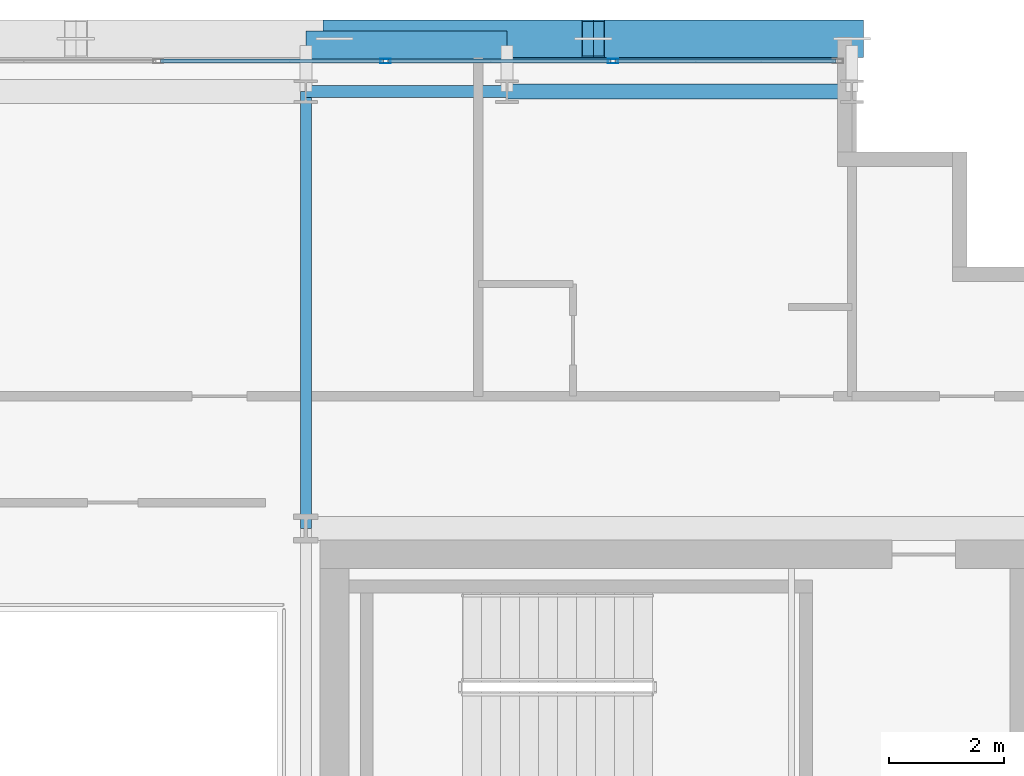
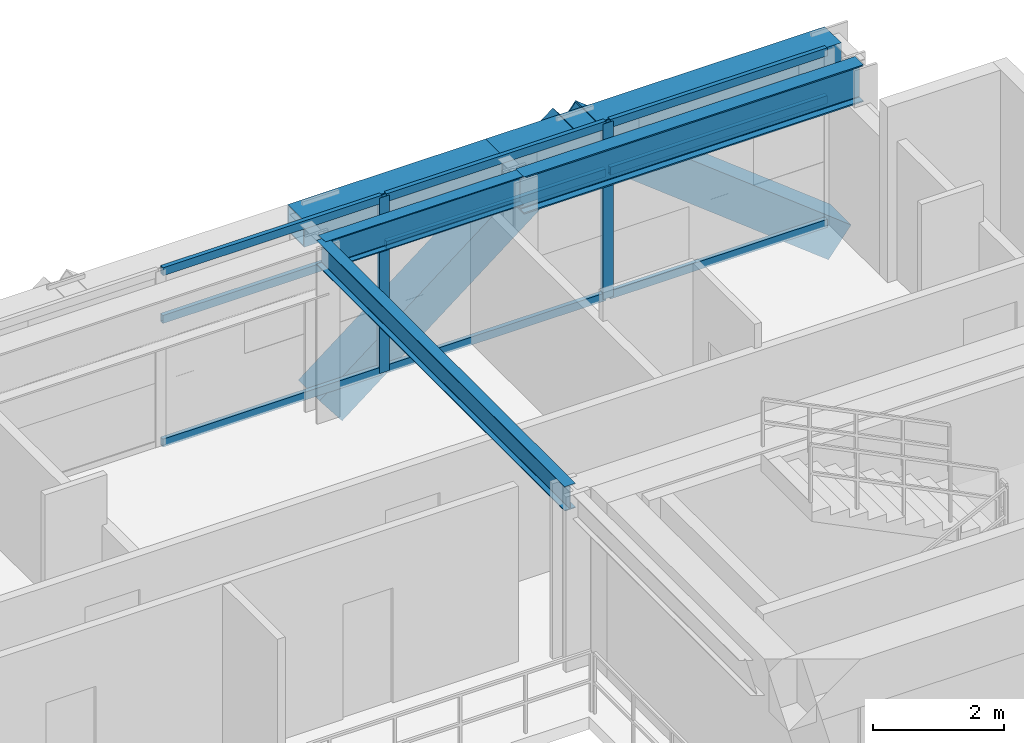
# One storey, part 18 of 32: 13 members, 5 beams, 1 element without a shape of its own.
"""IFC4 building model written with IfcOpenShell, lengths in metres."""

from ifc_helpers import new_model, si_unit, direction, frame, origin, origin_2d, place, context, subcontext, project, spatial, hollow_rectangle, i_section, extrude, source, transform, mapped, material, layer, layer_set, material_profile, profile_set, type_object, element, aggregate, save


model = new_model("IFC4")

# Units and contexts
model_context = context("Model", 3, precision=1e-05, world=origin(), true_north=direction((0.0, 1.0)))
body_context = subcontext(model_context, "Body", "Model", "MODEL_VIEW")
ifc_project = project(units=[si_unit("LENGTHUNIT", "METRE"), si_unit("AREAUNIT", "SQUARE_METRE"), si_unit("VOLUMEUNIT", "CUBIC_METRE"), si_unit("PLANEANGLEUNIT", "RADIAN"), si_unit("MASSUNIT", "GRAM", prefix="KILO")], contexts=[model_context])

# Site, building, storey
site_placement = place(None, origin())
site = spatial("IfcSite", under=ifc_project, at=site_placement, CompositionType="ELEMENT")
building_placement = place(site_placement, origin())
building = spatial("IfcBuilding", under=site, at=building_placement, Name="Ocotamira Hotel", CompositionType="ELEMENT")
storey_placement = place(building_placement, frame((0.0, 0.0, 217.199951171875)))
storey = spatial("IfcBuildingStorey", under=building, at=storey_placement, Name="L55", CompositionType="ELEMENT", Elevation=217.199951171875)

# Beams
ifc_material_1 = material(Name="Steel ASTM A992 Grade 50", Category="steel")
ifc_material_profile_1 = material_profile(ifc_material_1, i_section(OverallWidth=0.256103515625, OverallDepth=0.693115234375, WebThickness=0.014404296875, FlangeThickness=0.023681640625, FilletRadius=0.01611328125, at=origin_2d()), Name="W27X114")
ifc_profile_set_1 = profile_set([ifc_material_profile_1], Name="Steel ASTM A992 Grade 50")
beam_type_1 = type_object("IfcBeamType", Name="BM-PRIM-W27X114", PredefinedType="BEAM", material=ifc_profile_set_1)
shared_shape_1 = source(origin(), body_context, "Body", "SweptSolid", [
    extrude(i_section(OverallWidth=0.256103515625, OverallDepth=0.693115234375, WebThickness=0.014404296875, FlangeThickness=0.023681640625, FilletRadius=0.01611328125, at=origin_2d()), origin(), (0.0, 0.0, 1.0), 6.0),
])
beam_1_placement = place(storey_placement, frame((44.0, 45.050048828125, 2.93359375), z_axis=(1.0, 0.0, 0.0), x_axis=(0.0, 1.0, 0.0)))
element("IfcBeam", 1, at=beam_1_placement, inside=storey, type_object=beam_type_1, Name="L55 Girder Y45.05 X44-50", PredefinedType="BEAM", context=body_context, shape_type="MappedRepresentation", body=[
    mapped(shared_shape_1, transform((0.0, 0.0, 0.0), scale=1.0)),
])
ifc_material_profile_2 = material_profile(ifc_material_1, i_section(OverallWidth=0.2099609375, OverallDepth=0.537109375, WebThickness=0.010986328125, FlangeThickness=0.017333984375, FilletRadius=0.012939453125, at=origin_2d()), Name="W21X68")
ifc_profile_set_2 = profile_set([ifc_material_profile_2], Name="Steel ASTM A992 Grade 50")
beam_type_2 = type_object("IfcBeamType", Name="BM-SEC-W21X68", PredefinedType="JOIST", material=ifc_profile_set_2)
shared_shape_2 = source(origin(), body_context, "Body", "SweptSolid", [
    extrude(i_section(OverallWidth=0.2099609375, OverallDepth=0.537109375, WebThickness=0.010986328125, FlangeThickness=0.017333984375, FilletRadius=0.012939453125, at=origin_2d()), origin(), (0.0, 0.0, 1.0), 3.5),
])
beam_2_placement = place(storey_placement, frame((40.5, 45.050048828125, 3.011474609375), z_axis=(1.0, 0.0, 0.0), x_axis=(0.0, 1.0, 0.0)))
element("IfcBeam", 2, at=beam_2_placement, inside=storey, type_object=beam_type_2, Name="L55 Girder Y45.05 X40.5-44", PredefinedType="JOIST", context=body_context, shape_type="MappedRepresentation", body=[
    mapped(shared_shape_2, transform((0.0, 0.0, 0.0), scale=1.0)),
])
ifc_material_2 = material(Name="Steel ASTM A500 Grade C", Category="steel")
ifc_material_profile_3 = material_profile(ifc_material_2, hollow_rectangle(XDim=0.5, YDim=0.5, WallThickness=0.02001953125, at=origin_2d()), Name="HSS500X500X20")
ifc_profile_set_3 = profile_set([ifc_material_profile_3], Name="Steel ASTM A500 Grade C")
beam_type_3 = type_object("IfcBeamType", Name="BM-SPAN-HSS500", PredefinedType="USERDEFINED", material=ifc_profile_set_3)
shared_shape_3 = source(origin(), body_context, "Body", "SweptSolid", [
    extrude(hollow_rectangle(XDim=0.5, YDim=0.5, WallThickness=0.02001953125, at=origin_2d()), origin(), (0.0, 0.0, 1.0), 6.0),
])
beam_3_placement = place(storey_placement, frame((44.0, 45.85009765625, 3.030029296875), z_axis=(1.0, 0.0, 0.0), x_axis=(0.0, 1.0, 0.0)))
element("IfcBeam", 3, at=beam_3_placement, inside=storey, type_object=beam_type_3, Name="L55 Edge Spandrel N X44-50", ObjectType="SPANDREL", PredefinedType="USERDEFINED", context=body_context, shape_type="MappedRepresentation", body=[
    mapped(shared_shape_3, transform((0.0, 0.0, 0.0), scale=1.0)),
])
shared_shape_4 = source(origin(), body_context, "Body", "SweptSolid", [
    extrude(hollow_rectangle(XDim=0.5, YDim=0.5, WallThickness=0.02001953125, at=origin_2d()), origin(), (0.0, 0.0, 1.0), 3.5),
])
beam_4_placement = place(storey_placement, frame((40.5, 45.85009765625, 3.030029296875), z_axis=(1.0, 0.0, 0.0), x_axis=(0.0, 1.0, 0.0)))
element("IfcBeam", 4, at=beam_4_placement, inside=storey, type_object=beam_type_3, Name="L55 Edge Spandrel N X40.5-44", ObjectType="SPANDREL", PredefinedType="USERDEFINED", context=body_context, shape_type="MappedRepresentation", body=[
    mapped(shared_shape_4, transform((0.0, 0.0, 0.0), scale=1.0)),
])
ifc_material_profile_4 = material_profile(ifc_material_1, i_section(OverallWidth=0.18994140625, OverallDepth=0.45703125, WebThickness=0.009033203125, FlangeThickness=0.014404296875, FilletRadius=0.010009765625, at=origin_2d()), Name="W18X50")
ifc_profile_set_4 = profile_set([ifc_material_profile_4], Name="Steel ASTM A992 Grade 50")
beam_type_4 = type_object("IfcBeamType", Name="BM-SEC-W18X50", PredefinedType="JOIST", material=ifc_profile_set_4)
shared_shape_5 = source(origin(), body_context, "Body", "SweptSolid", [
    extrude(i_section(OverallWidth=0.18994140625, OverallDepth=0.45703125, WebThickness=0.009033203125, FlangeThickness=0.014404296875, FilletRadius=0.010009765625, at=origin_2d()), origin(), (0.0, 0.0, 1.0), 7.60009765625),
])
beam_5_placement = place(storey_placement, frame((40.5, 37.449951171875, 3.051513671875), z_axis=(0.0, 1.0, 0.0), x_axis=(-1.0, 0.0, 0.0)))
element("IfcBeam", 5, at=beam_5_placement, inside=storey, type_object=beam_type_4, Name="L55 Beam X40.5 Y37.45-45.05", PredefinedType="JOIST", context=body_context, shape_type="MappedRepresentation", body=[
    mapped(shared_shape_5, transform((0.0, 0.0, 0.0), scale=1.0)),
])

# Members
ifc_material_3 = material(Name="Pale-metal coated steel ASTM A913 Grade 65", Category="steel")
ifc_material_profile_5 = material_profile(ifc_material_3, hollow_rectangle(XDim=0.64990234375, YDim=0.64990234375, WallThickness=0.02197265625, at=origin_2d()), Name="BOX650X650X22")
ifc_profile_set_5 = profile_set([ifc_material_profile_5], Name="Pale-metal coated steel ASTM A913 Grade 65")
member_type_1 = type_object("IfcMemberType", Name="MEM-EXO-BOX650", PredefinedType="BRACE", material=ifc_profile_set_5)
shared_shape_6 = source(origin(), body_context, "Body", "SweptSolid", [
    extrude(hollow_rectangle(XDim=0.64990234375, YDim=0.64990234375, WallThickness=0.02197265625, at=origin_2d()), origin(), (0.0, 0.0, 1.0), 5.70703125),
])
for number, where, z_axis, x_axis, name in (
    (6, (41.0, 45.969970703125, -0.47998046875), (0.788501476184, 0.0, 0.615032862581), (0.0, 1.0, 0.0), "L55 Exoskeleton Diagrid N3.1"),
    (7, (50.0, 45.969970703125, -0.47998046875), (-0.788501476184, 0.0, 0.615032862581), (0.0, -1.0, 0.0), "L55 Exoskeleton Diagrid N3.2"),
):
    element("IfcMember", number, at=place(storey_placement, frame(where, z_axis=z_axis, x_axis=x_axis)), inside=storey, type_object=member_type_1, Name=name, PredefinedType="BRACE", context=body_context, shape_type="MappedRepresentation", body=[
        mapped(shared_shape_6, transform((0.0, 0.0, 0.0), scale=1.0)),
    ])

# Curtain wall, members
ifc_material_4 = material(Name="Anodised pale-metal aluminium and solar glass", Category="aluminium")
ifc_layer = layer(ifc_material_4, 0.199951171875)
ifc_layer_set = layer_set([ifc_layer], Name="Anodised pale-metal aluminium and solar glass")
curtain_wall_type = type_object("IfcCurtainWallType", Name="CW-SYS4-Z3", PredefinedType="NOTDEFINED", material=ifc_layer_set)
curtain_wall_placement = place(storey_placement, origin())
curtain_wall = element("IfcCurtainWall", 8, at=curtain_wall_placement, inside=storey, type_object=curtain_wall_type, Name="L55 Curtain Wall CW-4 CW-L55-N", PredefinedType="NOTDEFINED")
ifc_material_5 = material(Name="Anodised pale-metal aluminium 6063-T6", Category="aluminium")
ifc_material_profile_6 = material_profile(ifc_material_5, hollow_rectangle(XDim=0.074951171875, YDim=0.14990234375, WallThickness=0.006103515625, at=origin_2d()), Name="HSS150X75X6")
ifc_profile_set_6 = profile_set([ifc_material_profile_6], Name="Anodised pale-metal aluminium 6063-T6")
member_type_2 = type_object("IfcMemberType", Name="CWT-150X75", PredefinedType="USERDEFINED", material=ifc_profile_set_6)
shared_shape_7 = source(origin(), body_context, "Body", "SweptSolid", [
    extrude(hollow_rectangle(XDim=0.074951171875, YDim=0.14990234375, WallThickness=0.006103515625, at=origin_2d()), origin(), (0.0, 0.0, 1.0), 3.83544921875),
])
member_1_placement = place(storey_placement, frame((45.884521484375, 45.580078125, 0.03759765625), z_axis=(1.0, 0.0, 0.0), x_axis=(0.0, 1.0, 0.0)))
member_1 = element("IfcMember", 9, at=member_1_placement, type_object=member_type_2, Name="CW-4 transom 9.1", ObjectType="TRANSOM", PredefinedType="USERDEFINED", context=body_context, shape_type="MappedRepresentation", body=[
    mapped(shared_shape_7, transform((0.0, 0.0, 0.0), scale=1.0)),
])
member_2_placement = place(storey_placement, frame((45.884521484375, 45.580078125, 2.35009765625), z_axis=(1.0, 0.0, 0.0), x_axis=(0.0, 1.0, 0.0)))
member_2 = element("IfcMember", 10, at=member_2_placement, type_object=member_type_2, Name="CW-4 transom 9.2", ObjectType="TRANSOM", PredefinedType="USERDEFINED", context=body_context, shape_type="MappedRepresentation", body=[
    mapped(shared_shape_7, transform((0.0, 0.0, 0.0), scale=1.0)),
])
member_3_placement = place(storey_placement, frame((45.884521484375, 45.580078125, 3.242431640625), z_axis=(1.0, 0.0, 0.0), x_axis=(0.0, 1.0, 0.0)))
member_3 = element("IfcMember", 11, at=member_3_placement, type_object=member_type_2, Name="CW-4 transom 9.3", ObjectType="TRANSOM", PredefinedType="USERDEFINED", context=body_context, shape_type="MappedRepresentation", body=[
    mapped(shared_shape_7, transform((0.0, 0.0, 0.0), scale=1.0)),
])
shared_shape_8 = source(origin(), body_context, "Body", "SweptSolid", [
    extrude(hollow_rectangle(XDim=0.074951171875, YDim=0.14990234375, WallThickness=0.006103515625, at=origin_2d()), origin(), (0.0, 0.0, 1.0), 3.87548828125),
])
member_4_placement = place(storey_placement, frame((37.973388671875, 45.580078125, 0.03759765625), z_axis=(1.0, 0.0, 0.0), x_axis=(0.0, 1.0, 0.0)))
member_4 = element("IfcMember", 12, at=member_4_placement, type_object=member_type_2, Name="CW-4 transom 7.1", ObjectType="TRANSOM", PredefinedType="USERDEFINED", context=body_context, shape_type="MappedRepresentation", body=[
    mapped(shared_shape_8, transform((0.0, 0.0, 0.0), scale=1.0)),
])
member_5_placement = place(storey_placement, frame((37.973388671875, 45.580078125, 2.35009765625), z_axis=(1.0, 0.0, 0.0), x_axis=(0.0, 1.0, 0.0)))
member_5 = element("IfcMember", 13, at=member_5_placement, type_object=member_type_2, Name="CW-4 transom 7.2", ObjectType="TRANSOM", PredefinedType="USERDEFINED", context=body_context, shape_type="MappedRepresentation", body=[
    mapped(shared_shape_8, transform((0.0, 0.0, 0.0), scale=1.0)),
])
member_6_placement = place(storey_placement, frame((37.973388671875, 45.580078125, 3.242431640625), z_axis=(1.0, 0.0, 0.0), x_axis=(0.0, 1.0, 0.0)))
member_6 = element("IfcMember", 14, at=member_6_placement, type_object=member_type_2, Name="CW-4 transom 7.3", ObjectType="TRANSOM", PredefinedType="USERDEFINED", context=body_context, shape_type="MappedRepresentation", body=[
    mapped(shared_shape_8, transform((0.0, 0.0, 0.0), scale=1.0)),
])
member_7_placement = place(storey_placement, frame((41.928955078125, 45.580078125, 0.03759765625), z_axis=(1.0, 0.0, 0.0), x_axis=(0.0, 1.0, 0.0)))
member_7 = element("IfcMember", 15, at=member_7_placement, type_object=member_type_2, Name="CW-4 transom 8.1", ObjectType="TRANSOM", PredefinedType="USERDEFINED", context=body_context, shape_type="MappedRepresentation", body=[
    mapped(shared_shape_8, transform((0.0, 0.0, 0.0), scale=1.0)),
])
member_8_placement = place(storey_placement, frame((41.928955078125, 45.580078125, 2.35009765625), z_axis=(1.0, 0.0, 0.0), x_axis=(0.0, 1.0, 0.0)))
member_8 = element("IfcMember", 16, at=member_8_placement, type_object=member_type_2, Name="CW-4 transom 8.2", ObjectType="TRANSOM", PredefinedType="USERDEFINED", context=body_context, shape_type="MappedRepresentation", body=[
    mapped(shared_shape_8, transform((0.0, 0.0, 0.0), scale=1.0)),
])
member_9_placement = place(storey_placement, frame((41.928955078125, 45.580078125, 3.242431640625), z_axis=(1.0, 0.0, 0.0), x_axis=(0.0, 1.0, 0.0)))
member_9 = element("IfcMember", 17, at=member_9_placement, type_object=member_type_2, Name="CW-4 transom 8.3", ObjectType="TRANSOM", PredefinedType="USERDEFINED", context=body_context, shape_type="MappedRepresentation", body=[
    mapped(shared_shape_8, transform((0.0, 0.0, 0.0), scale=1.0)),
])
ifc_material_profile_7 = material_profile(ifc_material_5, hollow_rectangle(XDim=0.080078125, YDim=0.179931640625, WallThickness=0.006103515625, at=origin_2d()), Name="HSS180X80X6")
ifc_profile_set_7 = profile_set([ifc_material_profile_7], Name="Anodised pale-metal aluminium 6063-T6")
member_type_3 = type_object("IfcMemberType", Name="CWM-180X75", PredefinedType="MULLION", material=ifc_profile_set_7)
shared_shape_9 = source(origin(), body_context, "Body", "SweptSolid", [
    extrude(hollow_rectangle(XDim=0.080078125, YDim=0.179931640625, WallThickness=0.006103515625, at=origin_2d()), origin(), (0.0, 0.0, 1.0), 3.280029296875),
])
member_10_placement = place(storey_placement, frame((41.888916015625, 45.580078125, 0.0), z_axis=(0.0, 0.0, 1.0), x_axis=(0.0, 1.0, 0.0)))
member_10 = element("IfcMember", 18, at=member_10_placement, type_object=member_type_3, Name="CW-4 mullion 8", PredefinedType="MULLION", context=body_context, shape_type="MappedRepresentation", body=[
    mapped(shared_shape_9, transform((0.0, 0.0, 0.0), scale=1.0)),
])
member_11_placement = place(storey_placement, frame((45.844482421875, 45.580078125, 0.0), z_axis=(0.0, 0.0, 1.0), x_axis=(0.0, 1.0, 0.0)))
member_11 = element("IfcMember", 19, at=member_11_placement, type_object=member_type_3, Name="CW-4 mullion 9", PredefinedType="MULLION", context=body_context, shape_type="MappedRepresentation", body=[
    mapped(shared_shape_9, transform((0.0, 0.0, 0.0), scale=1.0)),
])
aggregate(curtain_wall, [member_10, member_11, member_4, member_5, member_6, member_7, member_8, member_9, member_1, member_2, member_3])

save(model, "model.ifc")
